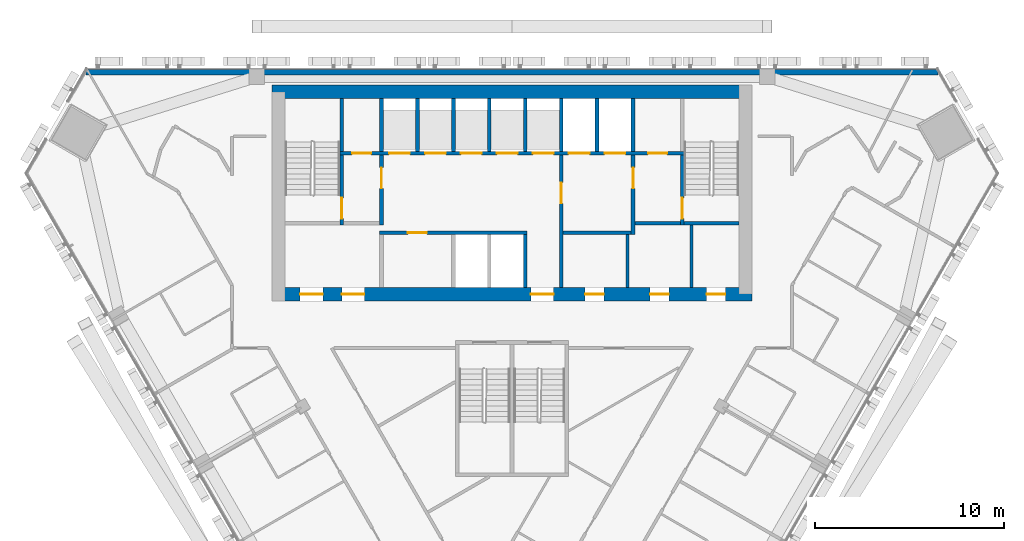
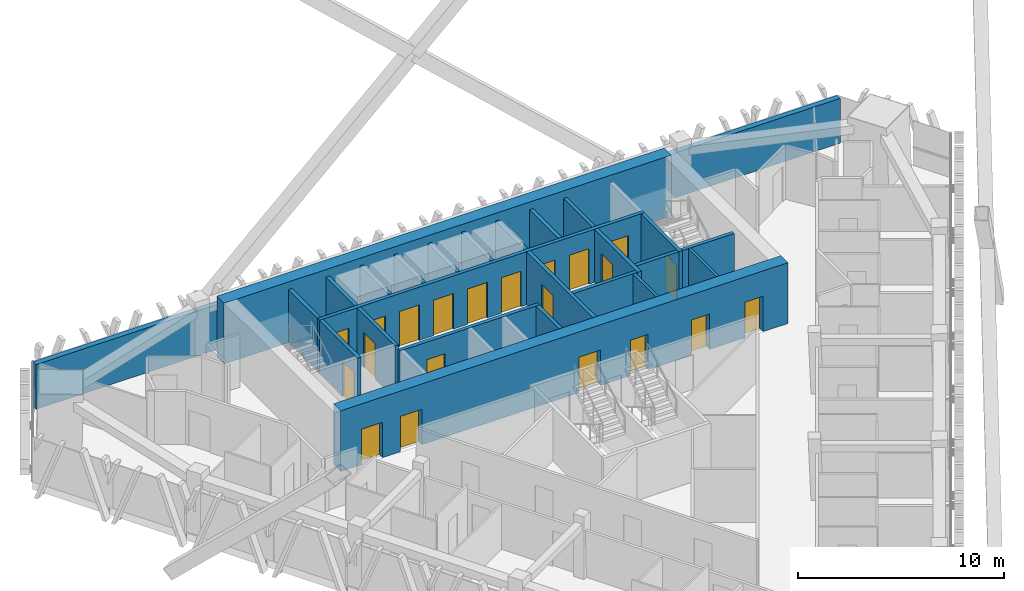
# One storey, part 12 of 17: 25 walls, 21 doors, 21 openings.
"""IFC4 building model written with IfcOpenShell, lengths in metres."""

from ifc_helpers import new_model, si_unit, direction, frame, frame_2d, origin, place, context, subcontext, project, spatial, rectangle, extrude, material, layer, layer_set, type_object, element, fill, save


model = new_model("IFC4")

# Units and contexts
model_context = context("Model", 3, precision=1e-05, world=origin(), true_north=direction((0.0, 1.0)))
body_context = subcontext(model_context, "Body", "Model", "MODEL_VIEW")
ifc_project = project(units=[si_unit("LENGTHUNIT", "METRE"), si_unit("AREAUNIT", "SQUARE_METRE"), si_unit("VOLUMEUNIT", "CUBIC_METRE"), si_unit("PLANEANGLEUNIT", "RADIAN"), si_unit("MASSUNIT", "GRAM", prefix="KILO")], contexts=[model_context])

# Site, building, storey
site_placement = place(None, origin())
site = spatial("IfcSite", under=ifc_project, at=site_placement, CompositionType="ELEMENT")
building_placement = place(site_placement, origin())
building = spatial("IfcBuilding", under=site, at=building_placement, Name="Altiplano Prism Tower", CompositionType="ELEMENT")
storey_placement = place(building_placement, frame((0.0, 0.0, 194.39990234375)))
storey = spatial("IfcBuildingStorey", under=building, at=storey_placement, Name="L50", CompositionType="ELEMENT", Elevation=194.39990234375)

# Wall, openings, doors
ifc_material_1 = material(Name="Concrete C60/75", Category="concrete")
ifc_layer_1 = layer(ifc_material_1, 0.699951171875)
ifc_layer_set_1 = layer_set([ifc_layer_1], Name="Concrete C60/75")
wall_type_1 = type_object("IfcWallType", Name="Core wall 700", PredefinedType="SHEAR", material=ifc_layer_set_1)
wall_1_placement = place(storey_placement, frame((72.64990234375, 93.050048828125, 0.0), z_axis=(0.0, 0.0, 1.0), x_axis=(1.0, 0.0, 0.0)))
wall_1 = element("IfcWall", 1, at=wall_1_placement, inside=storey, type_object=wall_type_1, Name="Core wall S L50", PredefinedType="SHEAR", context=body_context, shape_type="SweptSolid", body=[
    extrude(rectangle(XDim=25.050048828125, YDim=0.699951171875, at=frame_2d((12.52490234375, 0.0))), origin(), (0.0, 0.0, 1.0), 3.60009765625),
])
opening_1_placement = place(wall_1_placement, frame((1.14990234375, 0.0, 0.0)))
opening_1 = element("IfcOpeningElement", 2, at=opening_1_placement, cuts=wall_1, Name="Opening D3273", PredefinedType="OPENING", context=body_context, shape_type="SweptSolid", body=[
    extrude(rectangle(XDim=1.199951171875, YDim=2.10009765625, at=frame_2d((0.60009765625, 1.050048828125))), frame((0.0, 0.3603515625, 0.0), z_axis=(0.0, -1.0, 0.0), x_axis=(1.0, 0.0, 0.0)), (0.0, 0.0, 1.0), 0.720947265625),
])
opening_2_placement = place(wall_1_placement, frame((3.35009765625, 0.0, 0.0)))
opening_2 = element("IfcOpeningElement", 3, at=opening_2_placement, cuts=wall_1, Name="Opening D3274", PredefinedType="OPENING", context=body_context, shape_type="SweptSolid", body=[
    extrude(rectangle(XDim=1.199951171875, YDim=2.10009765625, at=frame_2d((0.60009765625, 1.050048828125))), frame((0.0, 0.3603515625, 0.0), z_axis=(0.0, -1.0, 0.0), x_axis=(1.0, 0.0, 0.0)), (0.0, 0.0, 1.0), 0.720947265625),
])
opening_3_placement = place(wall_1_placement, frame((13.35009765625, 0.0, 0.0)))
opening_3 = element("IfcOpeningElement", 4, at=opening_3_placement, cuts=wall_1, Name="Opening D3275", PredefinedType="OPENING", context=body_context, shape_type="SweptSolid", body=[
    extrude(rectangle(XDim=1.199951171875, YDim=2.10009765625, at=frame_2d((0.60009765625, 1.050048828125))), frame((0.0, 0.3603515625, 0.0), z_axis=(0.0, -1.0, 0.0), x_axis=(1.0, 0.0, 0.0)), (0.0, 0.0, 1.0), 0.720947265625),
])
opening_4_placement = place(wall_1_placement, frame((16.21240234375, 0.0, 0.0)))
opening_4 = element("IfcOpeningElement", 5, at=opening_4_placement, cuts=wall_1, Name="Opening D3278", PredefinedType="OPENING", context=body_context, shape_type="SweptSolid", body=[
    extrude(rectangle(XDim=1.0, YDim=2.10009765625, at=frame_2d((0.5, 1.050048828125))), frame((0.0, 0.3603515625, 0.0), z_axis=(0.0, -1.0, 0.0), x_axis=(1.0, 0.0, 0.0)), (0.0, 0.0, 1.0), 0.720947265625),
])
opening_5_placement = place(wall_1_placement, frame((19.64990234375, 0.0, 0.0)))
opening_5 = element("IfcOpeningElement", 6, at=opening_5_placement, cuts=wall_1, Name="Opening D3279", PredefinedType="OPENING", context=body_context, shape_type="SweptSolid", body=[
    extrude(rectangle(XDim=1.0, YDim=2.10009765625, at=frame_2d((0.5, 1.050048828125))), frame((0.0, 0.3603515625, 0.0), z_axis=(0.0, -1.0, 0.0), x_axis=(1.0, 0.0, 0.0)), (0.0, 0.0, 1.0), 0.720947265625),
])
opening_6_placement = place(wall_1_placement, frame((22.637451171875, 0.0, 0.0)))
opening_6 = element("IfcOpeningElement", 7, at=opening_6_placement, cuts=wall_1, Name="Opening D3280", PredefinedType="OPENING", context=body_context, shape_type="SweptSolid", body=[
    extrude(rectangle(XDim=1.0, YDim=2.10009765625, at=frame_2d((0.5, 1.050048828125))), frame((0.0, 0.3603515625, 0.0), z_axis=(0.0, -1.0, 0.0), x_axis=(1.0, 0.0, 0.0)), (0.0, 0.0, 1.0), 0.720947265625),
])
ifc_material_2 = material(Name="Fire-rated steel door", Category="steel")
door_type_1 = type_object("IfcDoorType", Name="Core room door 1000 x 2100", OperationType="NOTDEFINED", PredefinedType="NOTDEFINED", material=ifc_material_2)
door_1_placement = place(opening_4_placement, origin())
door_1 = element("IfcDoor", 8, at=door_1_placement, inside=storey, type_object=door_type_1, Name="Core room door D3278", OperationType="SINGLE_SWING_RIGHT", OverallHeight=2.10009765625, OverallWidth=1.0, PredefinedType="NOTDEFINED", context=body_context, shape_type="SweptSolid", body=[
    extrude(rectangle(XDim=1.0, YDim=2.10009765625, at=frame_2d((0.5, 1.050048828125))), frame((0.0, 0.02490234375, 0.0), z_axis=(0.0, -1.0, 0.0), x_axis=(1.0, 0.0, 0.0)), (0.0, 0.0, 1.0), 0.050048828125),
])
fill(opening_4, door_1)
door_2_placement = place(opening_5_placement, origin())
door_2 = element("IfcDoor", 9, at=door_2_placement, inside=storey, type_object=door_type_1, Name="Core room door D3279", OperationType="SINGLE_SWING_LEFT", OverallHeight=2.10009765625, OverallWidth=1.0, PredefinedType="NOTDEFINED", context=body_context, shape_type="SweptSolid", body=[
    extrude(rectangle(XDim=1.0, YDim=2.10009765625, at=frame_2d((0.5, 1.050048828125))), frame((0.0, 0.02490234375, 0.0), z_axis=(0.0, -1.0, 0.0), x_axis=(1.0, 0.0, 0.0)), (0.0, 0.0, 1.0), 0.050048828125),
])
fill(opening_5, door_2)
door_3_placement = place(opening_6_placement, origin())
door_3 = element("IfcDoor", 10, at=door_3_placement, inside=storey, type_object=door_type_1, Name="Core room door D3280", OperationType="SINGLE_SWING_RIGHT", OverallHeight=2.10009765625, OverallWidth=1.0, PredefinedType="NOTDEFINED", context=body_context, shape_type="SweptSolid", body=[
    extrude(rectangle(XDim=1.0, YDim=2.10009765625, at=frame_2d((0.5, 1.050048828125))), frame((0.0, 0.02490234375, 0.0), z_axis=(0.0, -1.0, 0.0), x_axis=(1.0, 0.0, 0.0)), (0.0, 0.0, 1.0), 0.050048828125),
])
fill(opening_6, door_3)
door_type_2 = type_object("IfcDoorType", Name="Lobby fire door 1200 x 2100", OperationType="NOTDEFINED", PredefinedType="NOTDEFINED", material=ifc_material_2)
door_4_placement = place(opening_1_placement, origin())
door_4 = element("IfcDoor", 11, at=door_4_placement, inside=storey, type_object=door_type_2, Name="Lobby fire door D3273", OperationType="SINGLE_SWING_RIGHT", OverallHeight=2.10009765625, OverallWidth=1.199951171875, PredefinedType="NOTDEFINED", context=body_context, shape_type="SweptSolid", body=[
    extrude(rectangle(XDim=1.199951171875, YDim=2.10009765625, at=frame_2d((0.60009765625, 1.050048828125))), frame((0.0, 0.02490234375, 0.0), z_axis=(0.0, -1.0, 0.0), x_axis=(1.0, 0.0, 0.0)), (0.0, 0.0, 1.0), 0.050048828125),
])
fill(opening_1, door_4)
door_5_placement = place(opening_2_placement, origin())
door_5 = element("IfcDoor", 12, at=door_5_placement, inside=storey, type_object=door_type_2, Name="Lobby fire door D3274", OperationType="SINGLE_SWING_LEFT", OverallHeight=2.10009765625, OverallWidth=1.199951171875, PredefinedType="NOTDEFINED", context=body_context, shape_type="SweptSolid", body=[
    extrude(rectangle(XDim=1.199951171875, YDim=2.10009765625, at=frame_2d((0.60009765625, 1.050048828125))), frame((0.0, 0.02490234375, 0.0), z_axis=(0.0, -1.0, 0.0), x_axis=(1.0, 0.0, 0.0)), (0.0, 0.0, 1.0), 0.050048828125),
])
fill(opening_2, door_5)
door_6_placement = place(opening_3_placement, origin())
door_6 = element("IfcDoor", 13, at=door_6_placement, inside=storey, type_object=door_type_2, Name="Lobby fire door D3275", OperationType="SINGLE_SWING_RIGHT", OverallHeight=2.10009765625, OverallWidth=1.199951171875, PredefinedType="NOTDEFINED", context=body_context, shape_type="SweptSolid", body=[
    extrude(rectangle(XDim=1.199951171875, YDim=2.10009765625, at=frame_2d((0.60009765625, 1.050048828125))), frame((0.0, 0.02490234375, 0.0), z_axis=(0.0, -1.0, 0.0), x_axis=(1.0, 0.0, 0.0)), (0.0, 0.0, 1.0), 0.050048828125),
])
fill(opening_3, door_6)

# Walls
wall_2_placement = place(storey_placement, frame((97.35009765625, 103.75, 0.0), z_axis=(0.0, 0.0, 1.0), x_axis=(-1.0, 0.0, 0.0)))
element("IfcWall", 14, at=wall_2_placement, inside=storey, type_object=wall_type_1, Name="Core wall N L50", PredefinedType="SHEAR", context=body_context, shape_type="SweptSolid", body=[
    extrude(rectangle(XDim=25.050048828125, YDim=0.699951171875, at=frame_2d((12.52490234375, 0.0))), origin(), (0.0, 0.0, 1.0), 3.60009765625),
])
ifc_material_3 = material(Name="Fire-rated gypsum board partition")
ifc_layer_2 = layer(ifc_material_3, 0.14990234375)
ifc_layer_set_2 = layer_set([ifc_layer_2], Name="Fire-rated gypsum board partition")
wall_type_2 = type_object("IfcWallType", Name="Room partition 150", PredefinedType="PARTITIONING", material=ifc_layer_set_2)
wall_3_placement = place(storey_placement, frame((91.10009765625, 93.39990234375, 0.0), z_axis=(0.0, 0.0, 1.0), x_axis=(0.0, 1.0, 0.0)))
element("IfcWall", 15, at=wall_3_placement, inside=storey, type_object=wall_type_2, Name="Room partition L50", PredefinedType="PARTITIONING", context=body_context, shape_type="SweptSolid", body=[
    extrude(rectangle(XDim=2.800048828125, YDim=0.14990234375, at=frame_2d((1.39990234375, 0.0))), origin(), (0.0, 0.0, 1.0), 3.150146484375),
])
wall_4_placement = place(storey_placement, frame((94.5, 93.39990234375, 0.0), z_axis=(0.0, 0.0, 1.0), x_axis=(0.0, 1.0, 0.0)))
element("IfcWall", 16, at=wall_4_placement, inside=storey, type_object=wall_type_2, Name="Room partition L50", PredefinedType="PARTITIONING", context=body_context, shape_type="SweptSolid", body=[
    extrude(rectangle(XDim=3.300048828125, YDim=0.14990234375, at=frame_2d((1.64990234375, 0.0))), origin(), (0.0, 0.0, 1.0), 3.150146484375),
])
ifc_layer_3 = layer(ifc_material_1, 0.199951171875)
ifc_layer_set_3 = layer_set([ifc_layer_3], Name="Concrete C60/75")
wall_type_3 = type_object("IfcWallType", Name="Shaft wall 200", PredefinedType="SOLIDWALL", material=ifc_layer_set_3)
wall_5_placement = place(storey_placement, frame((85.699951171875, 93.39990234375, 0.0), z_axis=(0.0, 0.0, 1.0), x_axis=(0.0, 1.0, 0.0)))
element("IfcWall", 17, at=wall_5_placement, inside=storey, type_object=wall_type_3, Name="Shaft wall L50", PredefinedType="SOLIDWALL", context=body_context, shape_type="SweptSolid", body=[
    extrude(rectangle(XDim=2.800048828125, YDim=0.199951171875, at=frame_2d((1.39990234375, 0.0))), origin(), (0.0, 0.0, 1.0), 3.150146484375),
])

# Wall, opening, door
wall_6_placement = place(storey_placement, frame((78.0, 96.300048828125, 0.0), z_axis=(0.0, 0.0, 1.0), x_axis=(1.0, 0.0, 0.0)))
wall_6 = element("IfcWall", 18, at=wall_6_placement, inside=storey, type_object=wall_type_3, Name="Shaft wall L50", PredefinedType="SOLIDWALL", context=body_context, shape_type="SweptSolid", body=[
    extrude(rectangle(XDim=7.800048828125, YDim=0.199951171875, at=frame_2d((3.89990234375, 0.0))), origin(), (0.0, 0.0, 1.0), 3.150146484375),
])
opening_7_placement = place(wall_6_placement, frame((1.5, 0.0, 0.0)))
opening_7 = element("IfcOpeningElement", 19, at=opening_7_placement, cuts=wall_6, Name="Opening D3281", PredefinedType="OPENING", context=body_context, shape_type="SweptSolid", body=[
    extrude(rectangle(XDim=1.0, YDim=2.10009765625, at=frame_2d((0.5, 1.050048828125))), frame((0.0, 0.1103515625, 0.0), z_axis=(0.0, -1.0, 0.0), x_axis=(1.0, 0.0, 0.0)), (0.0, 0.0, 1.0), 0.220947265625),
])
door_7_placement = place(opening_7_placement, origin())
door_7 = element("IfcDoor", 20, at=door_7_placement, inside=storey, type_object=door_type_1, Name="Core room door D3281", OperationType="SINGLE_SWING_RIGHT", OverallHeight=2.10009765625, OverallWidth=1.0, PredefinedType="NOTDEFINED", context=body_context, shape_type="SweptSolid", body=[
    extrude(rectangle(XDim=1.0, YDim=2.10009765625, at=frame_2d((0.5, 1.050048828125))), frame((0.0, 0.02490234375, 0.0), z_axis=(0.0, -1.0, 0.0), x_axis=(1.0, 0.0, 0.0)), (0.0, 0.0, 1.0), 0.050048828125),
])
fill(opening_7, door_7)

# Walls
for number, where, z_axis, x_axis, name in (
    (21, (78.10009765625, 100.60009765625, 0.0), (0.0, 0.0, 1.0), (0.0, 1.0, 0.0), "Shaft wall L50"),
    (22, (80.0, 100.60009765625, 0.0), (0.0, 0.0, 1.0), (0.0, 1.0, 0.0), "Shaft wall L50"),
    (23, (81.89990234375, 100.60009765625, 0.0), (0.0, 0.0, 1.0), (0.0, 1.0, 0.0), "Shaft wall L50"),
    (24, (83.800048828125, 100.60009765625, 0.0), (0.0, 0.0, 1.0), (0.0, 1.0, 0.0), "Shaft wall L50"),
    (25, (85.699951171875, 100.60009765625, 0.0), (0.0, 0.0, 1.0), (0.0, 1.0, 0.0), "Shaft wall L50"),
    (26, (87.60009765625, 100.60009765625, 0.0), (0.0, 0.0, 1.0), (0.0, 1.0, 0.0), "Shaft wall L50"),
    (27, (89.5, 100.60009765625, 0.0), (0.0, 0.0, 1.0), (0.0, 1.0, 0.0), "Shaft wall L50"),
    (28, (91.39990234375, 100.60009765625, 0.0), (0.0, 0.0, 1.0), (0.0, 1.0, 0.0), "Shaft wall L50"),
):
    element("IfcWall", number, at=place(storey_placement, frame(where, z_axis=z_axis, x_axis=x_axis)), inside=storey, type_object=wall_type_3, Name=name, PredefinedType="SOLIDWALL", context=body_context, shape_type="SweptSolid", body=[
        extrude(rectangle(XDim=2.7998046875, YDim=0.199951171875, at=frame_2d((1.39990234375, 0.0))), origin(), (0.0, 0.0, 1.0), 3.150146484375),
    ])

# Wall, opening, door
ifc_layer_4 = layer(ifc_material_1, 0.199951171875)
ifc_layer_set_4 = layer_set([ifc_layer_4], Name="Concrete C60/75")
wall_type_4 = type_object("IfcWallType", Name="Stair wall 200", PredefinedType="SOLIDWALL", material=ifc_layer_set_4)
wall_7_placement = place(storey_placement, frame((76.0, 96.699951171875, 0.0), z_axis=(0.0, 0.0, 1.0), x_axis=(0.0, 1.0, 0.0)))
wall_7 = element("IfcWall", 29, at=wall_7_placement, inside=storey, type_object=wall_type_4, Name="Stair wall L50", PredefinedType="SOLIDWALL", context=body_context, shape_type="SweptSolid", body=[
    extrude(rectangle(XDim=3.699951171875, YDim=0.199951171875, at=frame_2d((1.85009765625, 0.0))), origin(), (0.0, 0.0, 1.0), 3.150146484375),
])
opening_8_placement = place(wall_7_placement, frame((0.35009765625, 0.0, 0.0)))
opening_8 = element("IfcOpeningElement", 30, at=opening_8_placement, cuts=wall_7, Name="Opening D3268", PredefinedType="OPENING", context=body_context, shape_type="SweptSolid", body=[
    extrude(rectangle(XDim=1.10009765625, YDim=2.10009765625, at=frame_2d((0.550048828125, 1.050048828125))), frame((0.0, 0.1103515625, 0.0), z_axis=(0.0, -1.0, 0.0), x_axis=(1.0, 0.0, 0.0)), (0.0, 0.0, 1.0), 0.220947265625),
])
door_type_3 = type_object("IfcDoorType", Name="Stair fire door 1100 x 2100", OperationType="NOTDEFINED", PredefinedType="NOTDEFINED", material=ifc_material_2)
door_8_placement = place(opening_8_placement, origin())
door_8 = element("IfcDoor", 31, at=door_8_placement, inside=storey, type_object=door_type_3, Name="Stair fire door D3268", OperationType="SINGLE_SWING_RIGHT", OverallHeight=2.10009765625, OverallWidth=1.10009765625, PredefinedType="NOTDEFINED", context=body_context, shape_type="SweptSolid", body=[
    extrude(rectangle(XDim=1.10009765625, YDim=2.10009765625, at=frame_2d((0.550048828125, 1.050048828125))), frame((0.0, 0.02490234375, 0.0), z_axis=(0.0, -1.0, 0.0), x_axis=(1.0, 0.0, 0.0)), (0.0, 0.0, 1.0), 0.050048828125),
])
fill(opening_8, door_8)

wall_8_placement = place(storey_placement, frame((94.0, 96.699951171875, 0.0), z_axis=(0.0, 0.0, 1.0), x_axis=(0.0, 1.0, 0.0)))
wall_8 = element("IfcWall", 32, at=wall_8_placement, inside=storey, type_object=wall_type_4, Name="Stair wall L50", PredefinedType="SOLIDWALL", context=body_context, shape_type="SweptSolid", body=[
    extrude(rectangle(XDim=3.699951171875, YDim=0.199951171875, at=frame_2d((1.85009765625, 0.0))), origin(), (0.0, 0.0, 1.0), 3.150146484375),
])
opening_9_placement = place(wall_8_placement, frame((0.35009765625, 0.0, 0.0)))
opening_9 = element("IfcOpeningElement", 33, at=opening_9_placement, cuts=wall_8, Name="Opening D3269", PredefinedType="OPENING", context=body_context, shape_type="SweptSolid", body=[
    extrude(rectangle(XDim=1.10009765625, YDim=2.10009765625, at=frame_2d((0.550048828125, 1.050048828125))), frame((0.0, 0.1103515625, 0.0), z_axis=(0.0, -1.0, 0.0), x_axis=(1.0, 0.0, 0.0)), (0.0, 0.0, 1.0), 0.220947265625),
])
door_9_placement = place(opening_9_placement, origin())
door_9 = element("IfcDoor", 34, at=door_9_placement, inside=storey, type_object=door_type_3, Name="Stair fire door D3269", OperationType="SINGLE_SWING_LEFT", OverallHeight=2.10009765625, OverallWidth=1.10009765625, PredefinedType="NOTDEFINED", context=body_context, shape_type="SweptSolid", body=[
    extrude(rectangle(XDim=1.10009765625, YDim=2.10009765625, at=frame_2d((0.550048828125, 1.050048828125))), frame((0.0, 0.02490234375, 0.0), z_axis=(0.0, -1.0, 0.0), x_axis=(1.0, 0.0, 0.0)), (0.0, 0.0, 1.0), 0.050048828125),
])
fill(opening_9, door_9)

# Wall
wall_9_placement = place(storey_placement, frame((94.10009765625, 96.800048828125, 0.0), z_axis=(0.0, 0.0, 1.0), x_axis=(1.0, 0.0, 0.0)))
element("IfcWall", 35, at=wall_9_placement, inside=storey, type_object=wall_type_4, Name="Stair wall L50", PredefinedType="SOLIDWALL", context=body_context, shape_type="SweptSolid", body=[
    extrude(rectangle(XDim=2.89990234375, YDim=0.199951171875, at=frame_2d((1.449951171875, 0.0))), origin(), (0.0, 0.0, 1.0), 3.150146484375),
])

# Wall, openings, doors
wall_10_placement = place(storey_placement, frame((75.89990234375, 100.5, 0.0), z_axis=(0.0, 0.0, 1.0), x_axis=(1.0, 0.0, 0.0)))
wall_10 = element("IfcWall", 36, at=wall_10_placement, inside=storey, type_object=wall_type_4, Name="Stair wall L50", PredefinedType="SOLIDWALL", context=body_context, shape_type="SweptSolid", body=[
    extrude(rectangle(XDim=18.2001953125, YDim=0.199951171875, at=frame_2d((9.10009765625, 0.0))), origin(), (0.0, 0.0, 1.0), 3.150146484375),
])
opening_10_placement = place(wall_10_placement, frame((2.60009765625, 0.0, 0.0)))
opening_10 = element("IfcOpeningElement", 37, at=opening_10_placement, cuts=wall_10, Name="Opening LD-ML1-L50", PredefinedType="OPENING", context=body_context, shape_type="SweptSolid", body=[
    extrude(rectangle(XDim=1.10009765625, YDim=2.10009765625, at=frame_2d((0.550048828125, 1.050048828125))), frame((0.0, 0.1103515625, 0.0), z_axis=(0.0, -1.0, 0.0), x_axis=(1.0, 0.0, 0.0)), (0.0, 0.0, 1.0), 0.220947265625),
])
opening_11_placement = place(wall_10_placement, frame((4.5, 0.0, 0.0)))
opening_11 = element("IfcOpeningElement", 38, at=opening_11_placement, cuts=wall_10, Name="Opening LD-ML2-L50", PredefinedType="OPENING", context=body_context, shape_type="SweptSolid", body=[
    extrude(rectangle(XDim=1.10009765625, YDim=2.10009765625, at=frame_2d((0.550048828125, 1.050048828125))), frame((0.0, 0.1103515625, 0.0), z_axis=(0.0, -1.0, 0.0), x_axis=(1.0, 0.0, 0.0)), (0.0, 0.0, 1.0), 0.220947265625),
])
opening_12_placement = place(wall_10_placement, frame((6.39990234375, 0.0, 0.0)))
opening_12 = element("IfcOpeningElement", 39, at=opening_12_placement, cuts=wall_10, Name="Opening LD-ML3-L50", PredefinedType="OPENING", context=body_context, shape_type="SweptSolid", body=[
    extrude(rectangle(XDim=1.10009765625, YDim=2.10009765625, at=frame_2d((0.550048828125, 1.050048828125))), frame((0.0, 0.1103515625, 0.0), z_axis=(0.0, -1.0, 0.0), x_axis=(1.0, 0.0, 0.0)), (0.0, 0.0, 1.0), 0.220947265625),
])
opening_13_placement = place(wall_10_placement, frame((8.300048828125, 0.0, 0.0)))
opening_13 = element("IfcOpeningElement", 40, at=opening_13_placement, cuts=wall_10, Name="Opening LD-ML4-L50", PredefinedType="OPENING", context=body_context, shape_type="SweptSolid", body=[
    extrude(rectangle(XDim=1.10009765625, YDim=2.10009765625, at=frame_2d((0.550048828125, 1.050048828125))), frame((0.0, 0.1103515625, 0.0), z_axis=(0.0, -1.0, 0.0), x_axis=(1.0, 0.0, 0.0)), (0.0, 0.0, 1.0), 0.220947265625),
])
opening_14_placement = place(wall_10_placement, frame((10.199951171875, 0.0, 0.0)))
opening_14 = element("IfcOpeningElement", 41, at=opening_14_placement, cuts=wall_10, Name="Opening LD-ML5-L50", PredefinedType="OPENING", context=body_context, shape_type="SweptSolid", body=[
    extrude(rectangle(XDim=1.10009765625, YDim=2.10009765625, at=frame_2d((0.550048828125, 1.050048828125))), frame((0.0, 0.1103515625, 0.0), z_axis=(0.0, -1.0, 0.0), x_axis=(1.0, 0.0, 0.0)), (0.0, 0.0, 1.0), 0.220947265625),
])
opening_15_placement = place(wall_10_placement, frame((12.10009765625, 0.0, 0.0)))
opening_15 = element("IfcOpeningElement", 42, at=opening_15_placement, cuts=wall_10, Name="Opening LD-FF1-L50", PredefinedType="OPENING", context=body_context, shape_type="SweptSolid", body=[
    extrude(rectangle(XDim=1.10009765625, YDim=2.10009765625, at=frame_2d((0.550048828125, 1.050048828125))), frame((0.0, 0.1103515625, 0.0), z_axis=(0.0, -1.0, 0.0), x_axis=(1.0, 0.0, 0.0)), (0.0, 0.0, 1.0), 0.220947265625),
])
opening_16_placement = place(wall_10_placement, frame((14.0, 0.0, 0.0)))
opening_16 = element("IfcOpeningElement", 43, at=opening_16_placement, cuts=wall_10, Name="Opening LD-FF2-L50", PredefinedType="OPENING", context=body_context, shape_type="SweptSolid", body=[
    extrude(rectangle(XDim=1.10009765625, YDim=2.10009765625, at=frame_2d((0.550048828125, 1.050048828125))), frame((0.0, 0.1103515625, 0.0), z_axis=(0.0, -1.0, 0.0), x_axis=(1.0, 0.0, 0.0)), (0.0, 0.0, 1.0), 0.220947265625),
])
opening_17_placement = place(wall_10_placement, frame((0.64990234375, 0.0, 0.0)))
opening_17 = element("IfcOpeningElement", 44, at=opening_17_placement, cuts=wall_10, Name="Opening D3276", PredefinedType="OPENING", context=body_context, shape_type="SweptSolid", body=[
    extrude(rectangle(XDim=1.0, YDim=2.10009765625, at=frame_2d((0.5, 1.050048828125))), frame((0.0, 0.1103515625, 0.0), z_axis=(0.0, -1.0, 0.0), x_axis=(1.0, 0.0, 0.0)), (0.0, 0.0, 1.0), 0.220947265625),
])
opening_18_placement = place(wall_10_placement, frame((16.300048828125, 0.0, 0.0)))
opening_18 = element("IfcOpeningElement", 45, at=opening_18_placement, cuts=wall_10, Name="Opening D3277", PredefinedType="OPENING", context=body_context, shape_type="SweptSolid", body=[
    extrude(rectangle(XDim=1.0, YDim=2.10009765625, at=frame_2d((0.5, 1.050048828125))), frame((0.0, 0.1103515625, 0.0), z_axis=(0.0, -1.0, 0.0), x_axis=(1.0, 0.0, 0.0)), (0.0, 0.0, 1.0), 0.220947265625),
])
door_10_placement = place(opening_17_placement, origin())
door_10 = element("IfcDoor", 46, at=door_10_placement, inside=storey, type_object=door_type_1, Name="Core room door D3276", OperationType="SINGLE_SWING_LEFT", OverallHeight=2.10009765625, OverallWidth=1.0, PredefinedType="NOTDEFINED", context=body_context, shape_type="SweptSolid", body=[
    extrude(rectangle(XDim=1.0, YDim=2.10009765625, at=frame_2d((0.5, 1.050048828125))), frame((0.0, 0.02490234375, 0.0), z_axis=(0.0, -1.0, 0.0), x_axis=(1.0, 0.0, 0.0)), (0.0, 0.0, 1.0), 0.050048828125),
])
fill(opening_17, door_10)
door_11_placement = place(opening_18_placement, origin())
door_11 = element("IfcDoor", 47, at=door_11_placement, inside=storey, type_object=door_type_1, Name="Core room door D3277", OperationType="SINGLE_SWING_RIGHT", OverallHeight=2.10009765625, OverallWidth=1.0, PredefinedType="NOTDEFINED", context=body_context, shape_type="SweptSolid", body=[
    extrude(rectangle(XDim=1.0, YDim=2.10009765625, at=frame_2d((0.5, 1.050048828125))), frame((0.0, 0.02490234375, 0.0), z_axis=(0.0, -1.0, 0.0), x_axis=(1.0, 0.0, 0.0)), (0.0, 0.0, 1.0), 0.050048828125),
])
fill(opening_18, door_11)
ifc_material_4 = material(Name="Stainless steel landing door", Category="steel")
door_type_4 = type_object("IfcDoorType", Name="Landing door 1100 x 2100", OperationType="NOTDEFINED", PredefinedType="NOTDEFINED", material=ifc_material_4)
door_12_placement = place(opening_10_placement, origin())
door_12 = element("IfcDoor", 48, at=door_12_placement, inside=storey, type_object=door_type_4, Name="Landing doors ML1", OperationType="SLIDING_TO_RIGHT", OverallHeight=2.10009765625, OverallWidth=1.10009765625, PredefinedType="NOTDEFINED", context=body_context, shape_type="SweptSolid", body=[
    extrude(rectangle(XDim=1.10009765625, YDim=2.10009765625, at=frame_2d((0.550048828125, 1.050048828125))), frame((0.0, 0.02490234375, 0.0), z_axis=(0.0, -1.0, 0.0), x_axis=(1.0, 0.0, 0.0)), (0.0, 0.0, 1.0), 0.050048828125),
])
fill(opening_10, door_12)
door_13_placement = place(opening_11_placement, origin())
door_13 = element("IfcDoor", 49, at=door_13_placement, inside=storey, type_object=door_type_4, Name="Landing doors ML2", OperationType="SLIDING_TO_LEFT", OverallHeight=2.10009765625, OverallWidth=1.10009765625, PredefinedType="NOTDEFINED", context=body_context, shape_type="SweptSolid", body=[
    extrude(rectangle(XDim=1.10009765625, YDim=2.10009765625, at=frame_2d((0.550048828125, 1.050048828125))), frame((0.0, 0.02490234375, 0.0), z_axis=(0.0, -1.0, 0.0), x_axis=(1.0, 0.0, 0.0)), (0.0, 0.0, 1.0), 0.050048828125),
])
fill(opening_11, door_13)
door_14_placement = place(opening_12_placement, origin())
door_14 = element("IfcDoor", 50, at=door_14_placement, inside=storey, type_object=door_type_4, Name="Landing doors ML3", OperationType="SLIDING_TO_RIGHT", OverallHeight=2.10009765625, OverallWidth=1.10009765625, PredefinedType="NOTDEFINED", context=body_context, shape_type="SweptSolid", body=[
    extrude(rectangle(XDim=1.10009765625, YDim=2.10009765625, at=frame_2d((0.550048828125, 1.050048828125))), frame((0.0, 0.02490234375, 0.0), z_axis=(0.0, -1.0, 0.0), x_axis=(1.0, 0.0, 0.0)), (0.0, 0.0, 1.0), 0.050048828125),
])
fill(opening_12, door_14)
door_15_placement = place(opening_13_placement, origin())
door_15 = element("IfcDoor", 51, at=door_15_placement, inside=storey, type_object=door_type_4, Name="Landing doors ML4", OperationType="SLIDING_TO_LEFT", OverallHeight=2.10009765625, OverallWidth=1.10009765625, PredefinedType="NOTDEFINED", context=body_context, shape_type="SweptSolid", body=[
    extrude(rectangle(XDim=1.10009765625, YDim=2.10009765625, at=frame_2d((0.550048828125, 1.050048828125))), frame((0.0, 0.02490234375, 0.0), z_axis=(0.0, -1.0, 0.0), x_axis=(1.0, 0.0, 0.0)), (0.0, 0.0, 1.0), 0.050048828125),
])
fill(opening_13, door_15)
door_16_placement = place(opening_14_placement, origin())
door_16 = element("IfcDoor", 52, at=door_16_placement, inside=storey, type_object=door_type_4, Name="Landing doors ML5", OperationType="SLIDING_TO_RIGHT", OverallHeight=2.10009765625, OverallWidth=1.10009765625, PredefinedType="NOTDEFINED", context=body_context, shape_type="SweptSolid", body=[
    extrude(rectangle(XDim=1.10009765625, YDim=2.10009765625, at=frame_2d((0.550048828125, 1.050048828125))), frame((0.0, 0.02490234375, 0.0), z_axis=(0.0, -1.0, 0.0), x_axis=(1.0, 0.0, 0.0)), (0.0, 0.0, 1.0), 0.050048828125),
])
fill(opening_14, door_16)
door_17_placement = place(opening_15_placement, origin())
door_17 = element("IfcDoor", 53, at=door_17_placement, inside=storey, type_object=door_type_4, Name="Landing doors FF1", OperationType="SLIDING_TO_RIGHT", OverallHeight=2.10009765625, OverallWidth=1.10009765625, PredefinedType="NOTDEFINED", context=body_context, shape_type="SweptSolid", body=[
    extrude(rectangle(XDim=1.10009765625, YDim=2.10009765625, at=frame_2d((0.550048828125, 1.050048828125))), frame((0.0, 0.02490234375, 0.0), z_axis=(0.0, -1.0, 0.0), x_axis=(1.0, 0.0, 0.0)), (0.0, 0.0, 1.0), 0.050048828125),
])
fill(opening_15, door_17)
door_18_placement = place(opening_16_placement, origin())
door_18 = element("IfcDoor", 54, at=door_18_placement, inside=storey, type_object=door_type_4, Name="Landing doors FF2", OperationType="SLIDING_TO_LEFT", OverallHeight=2.10009765625, OverallWidth=1.10009765625, PredefinedType="NOTDEFINED", context=body_context, shape_type="SweptSolid", body=[
    extrude(rectangle(XDim=1.10009765625, YDim=2.10009765625, at=frame_2d((0.550048828125, 1.050048828125))), frame((0.0, 0.02490234375, 0.0), z_axis=(0.0, -1.0, 0.0), x_axis=(1.0, 0.0, 0.0)), (0.0, 0.0, 1.0), 0.050048828125),
])
fill(opening_16, door_18)

# Walls
wall_11_placement = place(storey_placement, frame((76.0, 100.60009765625, 0.0), z_axis=(0.0, 0.0, 1.0), x_axis=(0.0, 1.0, 0.0)))
element("IfcWall", 55, at=wall_11_placement, inside=storey, type_object=wall_type_4, Name="Stair wall L50", PredefinedType="SOLIDWALL", context=body_context, shape_type="SweptSolid", body=[
    extrude(rectangle(XDim=2.7998046875, YDim=0.199951171875, at=frame_2d((1.39990234375, 0.0))), origin(), (0.0, 0.0, 1.0), 3.150146484375),
])
ifc_material_5 = material(Name="Concrete C40", Category="concrete")
ifc_layer_5 = layer(ifc_material_5, 0.300048828125)
ifc_layer_set_5 = layer_set([ifc_layer_5], Name="Concrete C40")
wall_type_5 = type_object("IfcWallType", Name="Stone-clad external wall 300", PredefinedType="SOLIDWALL", material=ifc_layer_set_5)
wall_12_placement = place(storey_placement, frame((62.48681640625, 104.7900390625, 0.0), z_axis=(0.0, 0.0, 1.0), x_axis=(1.0, 0.0, 0.0)))
element("IfcWall", 56, at=wall_12_placement, inside=storey, type_object=wall_type_5, Name="External wall north face L50", PredefinedType="SOLIDWALL", context=body_context, shape_type="SweptSolid", body=[
    extrude(rectangle(XDim=45.0263671875, YDim=0.300048828125, at=frame_2d((22.51318359375, 0.0))), origin(), (0.0, 0.0, 1.0), 2.650146484375),
])

# Wall, opening, door
ifc_layer_6 = layer(ifc_material_1, 0.199951171875)
ifc_layer_set_6 = layer_set([ifc_layer_6], Name="Concrete C60/75")
wall_type_6 = type_object("IfcWallType", Name="Vestibule wall 200", PredefinedType="PARTITIONING", material=ifc_layer_set_6)
wall_13_placement = place(storey_placement, frame((87.60009765625, 93.39990234375, 0.0), z_axis=(0.0, 0.0, 1.0), x_axis=(0.0, 1.0, 0.0)))
wall_13 = element("IfcWall", 57, at=wall_13_placement, inside=storey, type_object=wall_type_6, Name="Vestibule wall L50", PredefinedType="PARTITIONING", context=body_context, shape_type="SweptSolid", body=[
    extrude(rectangle(XDim=7.0, YDim=0.199951171875, at=frame_2d((3.5, 0.0))), origin(), (0.0, 0.0, 1.0), 3.150146484375),
])
opening_19_placement = place(wall_13_placement, frame((4.449951171875, 0.0, 0.0)))
opening_19 = element("IfcOpeningElement", 58, at=opening_19_placement, cuts=wall_13, Name="Opening D3271", PredefinedType="OPENING", context=body_context, shape_type="SweptSolid", body=[
    extrude(rectangle(XDim=1.10009765625, YDim=2.10009765625, at=frame_2d((0.550048828125, 1.050048828125))), frame((0.0, 0.1103515625, 0.0), z_axis=(0.0, -1.0, 0.0), x_axis=(1.0, 0.0, 0.0)), (0.0, 0.0, 1.0), 0.220947265625),
])
door_type_5 = type_object("IfcDoorType", Name="Vestibule fire door 1100 x 2100", OperationType="NOTDEFINED", PredefinedType="NOTDEFINED", material=ifc_material_2)
door_19_placement = place(opening_19_placement, origin())
door_19 = element("IfcDoor", 59, at=door_19_placement, inside=storey, type_object=door_type_5, Name="Vestibule fire door D3271", OperationType="SINGLE_SWING_RIGHT", OverallHeight=2.10009765625, OverallWidth=1.10009765625, PredefinedType="NOTDEFINED", context=body_context, shape_type="SweptSolid", body=[
    extrude(rectangle(XDim=1.10009765625, YDim=2.10009765625, at=frame_2d((0.550048828125, 1.050048828125))), frame((0.0, 0.02490234375, 0.0), z_axis=(0.0, -1.0, 0.0), x_axis=(1.0, 0.0, 0.0)), (0.0, 0.0, 1.0), 0.050048828125),
])
fill(opening_19, door_19)

# Wall
wall_14_placement = place(storey_placement, frame((87.699951171875, 96.300048828125, 0.0), z_axis=(0.0, 0.0, 1.0), x_axis=(1.0, 0.0, 0.0)))
element("IfcWall", 60, at=wall_14_placement, inside=storey, type_object=wall_type_6, Name="Vestibule wall L50", PredefinedType="PARTITIONING", context=body_context, shape_type="SweptSolid", body=[
    extrude(rectangle(XDim=3.60009765625, YDim=0.199951171875, at=frame_2d((1.800048828125, 0.0))), origin(), (0.0, 0.0, 1.0), 3.150146484375),
])

# Wall, opening, door
wall_15_placement = place(storey_placement, frame((91.39990234375, 96.199951171875, 0.0), z_axis=(0.0, 0.0, 1.0), x_axis=(0.0, 1.0, 0.0)))
wall_15 = element("IfcWall", 61, at=wall_15_placement, inside=storey, type_object=wall_type_6, Name="Vestibule wall L50", PredefinedType="PARTITIONING", context=body_context, shape_type="SweptSolid", body=[
    extrude(rectangle(XDim=4.199951171875, YDim=0.199951171875, at=frame_2d((2.10009765625, 0.0))), origin(), (0.0, 0.0, 1.0), 3.150146484375),
])
opening_20_placement = place(wall_15_placement, frame((2.449951171875, 0.0, 0.0)))
opening_20 = element("IfcOpeningElement", 62, at=opening_20_placement, cuts=wall_15, Name="Opening D3272", PredefinedType="OPENING", context=body_context, shape_type="SweptSolid", body=[
    extrude(rectangle(XDim=1.10009765625, YDim=2.10009765625, at=frame_2d((0.550048828125, 1.050048828125))), frame((0.0, 0.1103515625, 0.0), z_axis=(0.0, -1.0, 0.0), x_axis=(1.0, 0.0, 0.0)), (0.0, 0.0, 1.0), 0.220947265625),
])
door_20_placement = place(opening_20_placement, origin())
door_20 = element("IfcDoor", 63, at=door_20_placement, inside=storey, type_object=door_type_5, Name="Vestibule fire door D3272", OperationType="SINGLE_SWING_LEFT", OverallHeight=2.10009765625, OverallWidth=1.10009765625, PredefinedType="NOTDEFINED", context=body_context, shape_type="SweptSolid", body=[
    extrude(rectangle(XDim=1.10009765625, YDim=2.10009765625, at=frame_2d((0.550048828125, 1.050048828125))), frame((0.0, 0.02490234375, 0.0), z_axis=(0.0, -1.0, 0.0), x_axis=(1.0, 0.0, 0.0)), (0.0, 0.0, 1.0), 0.050048828125),
])
fill(opening_20, door_20)

wall_16_placement = place(storey_placement, frame((78.10009765625, 96.699951171875, 0.0), z_axis=(0.0, 0.0, 1.0), x_axis=(0.0, 1.0, 0.0)))
wall_16 = element("IfcWall", 64, at=wall_16_placement, inside=storey, type_object=wall_type_6, Name="Vestibule wall L50", PredefinedType="PARTITIONING", context=body_context, shape_type="SweptSolid", body=[
    extrude(rectangle(XDim=3.699951171875, YDim=0.199951171875, at=frame_2d((1.85009765625, 0.0))), origin(), (0.0, 0.0, 1.0), 3.150146484375),
])
opening_21_placement = place(wall_16_placement, frame((1.949951171875, 0.0, 0.0)))
opening_21 = element("IfcOpeningElement", 65, at=opening_21_placement, cuts=wall_16, Name="Opening D3270", PredefinedType="OPENING", context=body_context, shape_type="SweptSolid", body=[
    extrude(rectangle(XDim=1.10009765625, YDim=2.10009765625, at=frame_2d((0.550048828125, 1.050048828125))), frame((0.0, 0.1103515625, 0.0), z_axis=(0.0, -1.0, 0.0), x_axis=(1.0, 0.0, 0.0)), (0.0, 0.0, 1.0), 0.220947265625),
])
door_21_placement = place(opening_21_placement, origin())
door_21 = element("IfcDoor", 66, at=door_21_placement, inside=storey, type_object=door_type_5, Name="Vestibule fire door D3270", OperationType="SINGLE_SWING_LEFT", OverallHeight=2.10009765625, OverallWidth=1.10009765625, PredefinedType="NOTDEFINED", context=body_context, shape_type="SweptSolid", body=[
    extrude(rectangle(XDim=1.10009765625, YDim=2.10009765625, at=frame_2d((0.550048828125, 1.050048828125))), frame((0.0, 0.02490234375, 0.0), z_axis=(0.0, -1.0, 0.0), x_axis=(1.0, 0.0, 0.0)), (0.0, 0.0, 1.0), 0.050048828125),
])
fill(opening_21, door_21)

# Wall
wall_17_placement = place(storey_placement, frame((91.5, 96.800048828125, 0.0), z_axis=(0.0, 0.0, 1.0), x_axis=(1.0, 0.0, 0.0)))
element("IfcWall", 67, at=wall_17_placement, inside=storey, type_object=wall_type_6, Name="Vestibule wall L50", PredefinedType="PARTITIONING", context=body_context, shape_type="SweptSolid", body=[
    extrude(rectangle(XDim=2.39990234375, YDim=0.199951171875, at=frame_2d((1.199951171875, 0.0))), origin(), (0.0, 0.0, 1.0), 3.150146484375),
])

save(model, "model.ifc")
